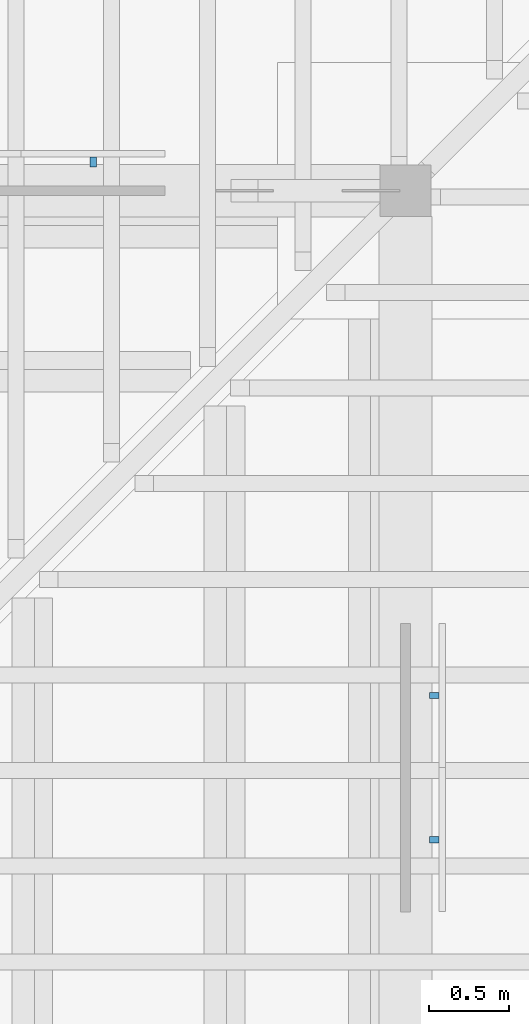
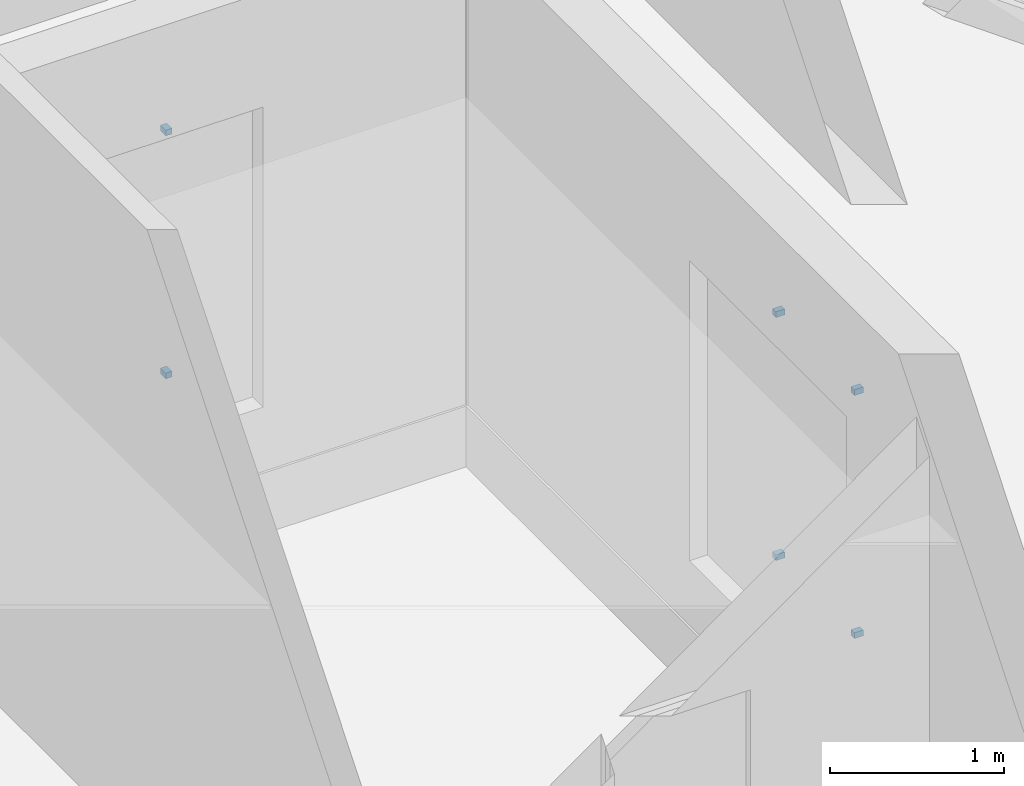
# One storey, part 56 of 84: 6 discrete accessories.
"""IFC4 building model written with IfcOpenShell, lengths in metres."""

from ifc_helpers import new_model, si_unit, direction, frame, origin, origin_2d, place, context, subcontext, project, spatial, rectangle, extrude, material, type_object, element, save


model = new_model("IFC4")

# Units and contexts
model_context = context("Model", 3, precision=1e-05, world=origin(), true_north=direction((0.0, 1.0)))
body_context = subcontext(model_context, "Body", "Model", "MODEL_VIEW")
ifc_project = project(units=[si_unit("LENGTHUNIT", "METRE"), si_unit("AREAUNIT", "SQUARE_METRE"), si_unit("VOLUMEUNIT", "CUBIC_METRE"), si_unit("PLANEANGLEUNIT", "RADIAN"), si_unit("MASSUNIT", "GRAM", prefix="KILO")], contexts=[model_context])

# Site, building, storey
site_placement = place(None, origin())
site = spatial("IfcSite", under=ifc_project, at=site_placement, CompositionType="ELEMENT")
building_placement = place(site_placement, origin())
building = spatial("IfcBuilding", under=site, at=building_placement, Name="Mazhai Court Health Centre", CompositionType="ELEMENT")
storey_placement = place(building_placement, origin())
storey = spatial("IfcBuildingStorey", under=building, at=storey_placement, Name="L00", CompositionType="ELEMENT", Elevation=0.0)

# Discrete accessories
ifc_material = material(Name="Steel IS 2062 E250", Category="steel")
discrete_accessory_type = type_object("IfcDiscreteAccessoryType", Name="BRACKET 40", PredefinedType="BRACKET", material=ifc_material)
for number, where, z_axis, x_axis, name in (
    (1, (112.25, 63.97998046875, 1.080078125), (0.0, 0.0, 1.0), (1.0, 0.0, 0.0), "BR-V3-N2bb0"),
    (2, (112.25, 63.97998046875, 2.780029296875), (0.0, 0.0, 1.0), (1.0, 0.0, 0.0), "BR-V3-N2bb1"),
    (3, (114.3798828125, 59.75, 1.080078125), (0.0, 0.0, 1.0), (0.0, 1.0, 0.0), "BR-V3-E1a0"),
    (4, (114.3798828125, 59.75, 2.780029296875), (0.0, 0.0, 1.0), (0.0, 1.0, 0.0), "BR-V3-E1a1"),
    (5, (114.3798828125, 60.64990234375, 1.080078125), (0.0, 0.0, 1.0), (0.0, 1.0, 0.0), "BR-V3-E1b0"),
    (6, (114.3798828125, 60.64990234375, 2.780029296875), (0.0, 0.0, 1.0), (0.0, 1.0, 0.0), "BR-V3-E1b1"),
):
    element("IfcDiscreteAccessory", number, at=place(storey_placement, frame(where, z_axis=z_axis, x_axis=x_axis)), inside=storey, type_object=discrete_accessory_type, Name=name, PredefinedType="BRACKET", context=body_context, shape_type="SweptSolid", body=[
        extrude(rectangle(XDim=0.0400390625, YDim=0.06005859375, at=origin_2d()), origin(), (0.0, 0.0, 1.0), 0.0400390625),
    ])

save(model, "model.ifc")
